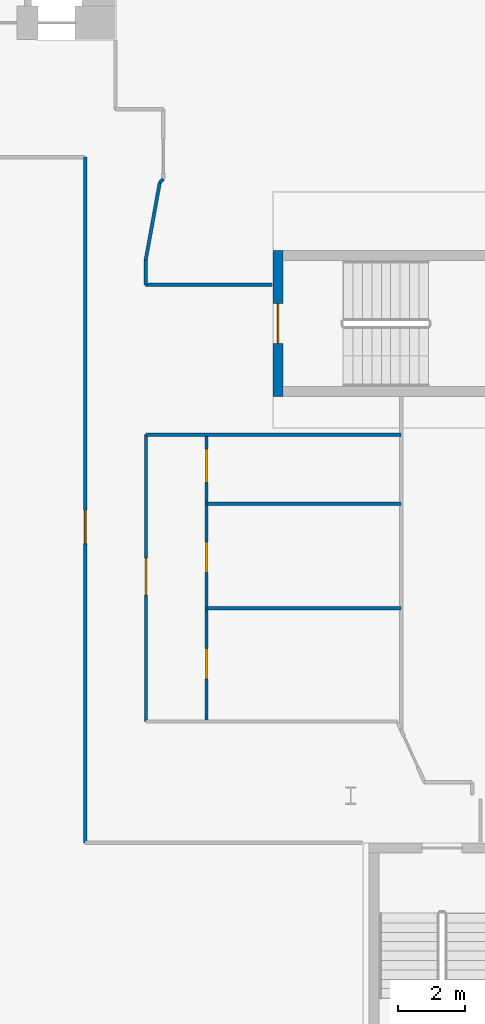
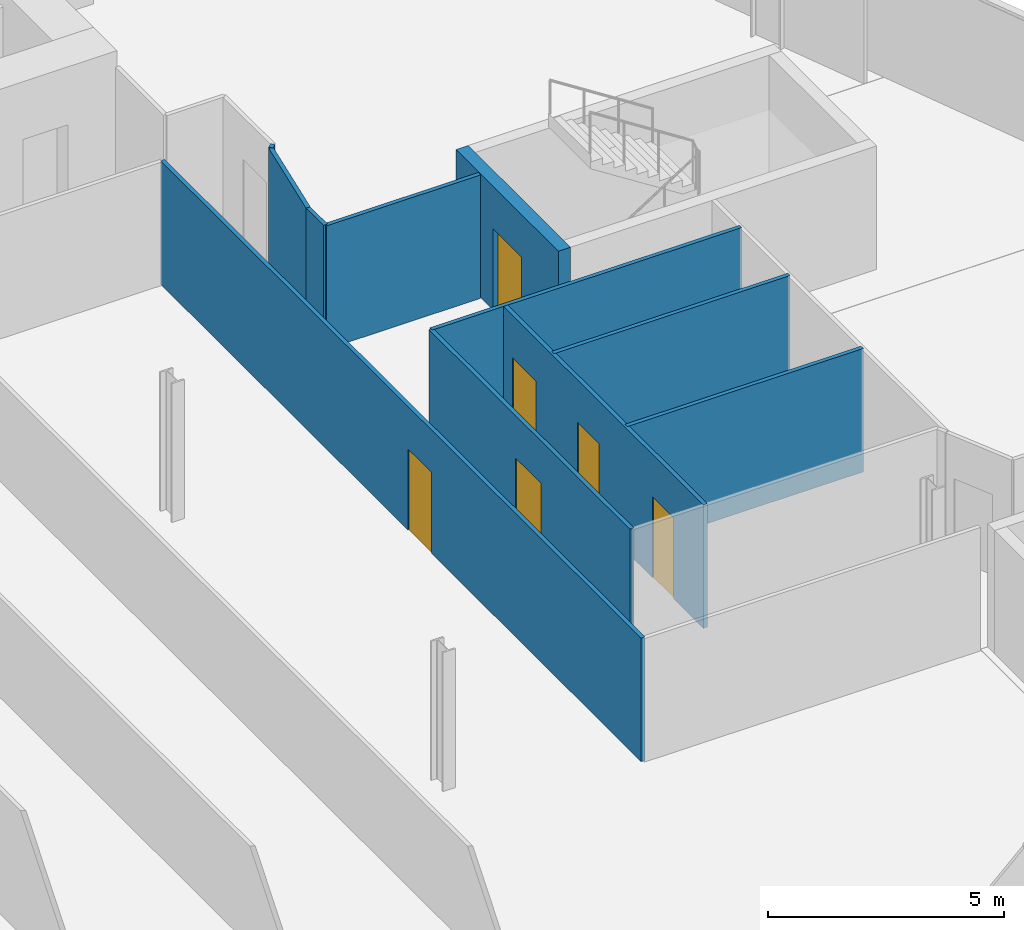
# One storey, part 14 of 25: 11 walls, 6 doors, 6 openings.
"""IFC4 building model written with IfcOpenShell, lengths in metres."""

from ifc_helpers import new_model, si_unit, direction, frame, frame_2d, origin, place, context, subcontext, project, spatial, rectangle, extrude, material, layer, layer_set, type_object, element, fill, save


model = new_model("IFC4")

# Units and contexts
model_context = context("Model", 3, precision=1e-05, world=origin(), true_north=direction((0.0, 1.0)))
body_context = subcontext(model_context, "Body", "Model", "MODEL_VIEW")
ifc_project = project(units=[si_unit("LENGTHUNIT", "METRE"), si_unit("AREAUNIT", "SQUARE_METRE"), si_unit("VOLUMEUNIT", "CUBIC_METRE"), si_unit("PLANEANGLEUNIT", "RADIAN"), si_unit("MASSUNIT", "GRAM", prefix="KILO")], contexts=[model_context])

# Site, building, storey
site_placement = place(None, origin())
site = spatial("IfcSite", under=ifc_project, at=site_placement, CompositionType="ELEMENT")
building_placement = place(site_placement, origin())
building = spatial("IfcBuilding", under=site, at=building_placement, Name="Wharfspan Tower", CompositionType="ELEMENT")
storey_placement = place(building_placement, frame((0.0, 0.0, 129.100098)))
storey = spatial("IfcBuildingStorey", under=building, at=storey_placement, Name="L30", CompositionType="ELEMENT", Elevation=129.100098)

# Wall, opening, door
ifc_material_1 = material(Name="Gypsum board on steel studs", Category="steel")
ifc_layer_1 = layer(ifc_material_1, 0.100098)
ifc_layer_set_1 = layer_set([ifc_layer_1], Name="Gypsum board on steel studs")
wall_type_1 = type_object("IfcWallType", Name="Compartment wall 100 EI 60", PredefinedType="PARTITIONING", material=ifc_layer_set_1)
wall_1_placement = place(storey_placement, frame((64.100098, 10.094971, 0.0), z_axis=(0.0, 0.0, 1.0), x_axis=(0.0, 1.0, 0.0)))
wall_1 = element("IfcWall", 1, at=wall_1_placement, inside=storey, type_object=wall_type_1, Name="Partition L30.w018", PredefinedType="PARTITIONING", context=body_context, shape_type="SweptSolid", body=[
    extrude(rectangle(XDim=20.405029, YDim=0.100098, at=frame_2d((10.202637, 0.0))), origin(), (0.0, 0.0, 1.0), 3.199951),
])
opening_1_placement = place(wall_1_placement, frame((8.905029, 0.0, 0.0)))
opening_1 = element("IfcOpeningElement", 2, at=opening_1_placement, cuts=wall_1, Name="Opening B4-06", PredefinedType="OPENING", context=body_context, shape_type="SweptSolid", body=[
    extrude(rectangle(XDim=1.0, YDim=2.100098, at=frame_2d((0.5, 1.050049))), frame((0.0, 0.060059, 0.0), z_axis=(0.0, -1.0, 0.0), x_axis=(1.0, 0.0, 0.0)), (0.0, 0.0, 1.0), 0.120117),
])
ifc_material_2 = material(Name="Fire-rated timber door leaf in steel frame", Category="steel")
door_type_1 = type_object("IfcDoorType", Name="Door 1000 FD30S Left", OperationType="SINGLE_SWING_LEFT", PredefinedType="DOOR", material=ifc_material_2)
door_1_placement = place(opening_1_placement, origin())
door_1 = element("IfcDoor", 3, at=door_1_placement, inside=storey, type_object=door_type_1, Name="Door B4-06", OperationType="SINGLE_SWING_LEFT", OverallHeight=2.100098, OverallWidth=1.0, PredefinedType="DOOR", context=body_context, shape_type="SweptSolid", body=[
    extrude(rectangle(XDim=1.0, YDim=2.100098, at=frame_2d((0.5, 1.050049))), frame((0.0, 0.024902, 0.0), z_axis=(0.0, -1.0, 0.0), x_axis=(1.0, 0.0, 0.0)), (0.0, 0.0, 1.0), 0.050049),
])
fill(opening_1, door_1)

# Walls
wall_2_placement = place(storey_placement, frame((65.899902, 26.699951, 0.0), z_axis=(0.0, 0.0, 1.0), x_axis=(0.0, 1.0, 0.0)))
element("IfcWall", 4, at=wall_2_placement, inside=storey, type_object=wall_type_1, Name="Partition L30.w022", PredefinedType="PARTITIONING", context=body_context, shape_type="SweptSolid", body=[
    extrude(rectangle(XDim=0.735107, YDim=0.100098, at=frame_2d((0.367676, 0.0))), origin(), (0.0, 0.0, 1.0), 3.199951),
])
wall_3_placement = place(storey_placement, frame((65.899902, 26.699951, 0.0), z_axis=(0.0, 0.0, 1.0), x_axis=(1.0, 0.0, 0.0)))
element("IfcWall", 5, at=wall_3_placement, inside=storey, type_object=wall_type_1, Name="Partition L30.w023", PredefinedType="PARTITIONING", context=body_context, shape_type="SweptSolid", body=[
    extrude(rectangle(XDim=3.770508, YDim=0.100098, at=frame_2d((1.885254, 0.0))), origin(), (0.0, 0.0, 1.0), 3.199951),
])
wall_4_placement = place(storey_placement, frame((65.899902, 27.435059, 0.0), z_axis=(0.0, 0.0, 1.0), x_axis=(0.178584, 0.983924, 0.0)))
element("IfcWall", 6, at=wall_4_placement, inside=storey, type_object=wall_type_1, Name="Partition L30.w024", PredefinedType="PARTITIONING", context=body_context, shape_type="SweptSolid", body=[
    extrude(rectangle(XDim=2.352783, YDim=0.100098, at=frame_2d((1.17627, 0.0))), origin(), (0.0, 0.0, 1.0), 3.199951),
])

# Wall, opening, door
wall_5_placement = place(storey_placement, frame((65.909912, 13.705078, 0.0), z_axis=(0.0, 0.0, 1.0), x_axis=(0.0, 1.0, 0.0)))
wall_5 = element("IfcWall", 7, at=wall_5_placement, inside=storey, type_object=wall_type_1, Name="Partition L30.w025", PredefinedType="PARTITIONING", context=body_context, shape_type="SweptSolid", body=[
    extrude(rectangle(XDim=8.534912, YDim=0.100098, at=frame_2d((4.267578, 0.0))), origin(), (0.0, 0.0, 1.0), 3.199951),
])
opening_2_placement = place(wall_5_placement, frame((3.77002, 0.0, 0.0)))
opening_2 = element("IfcOpeningElement", 8, at=opening_2_placement, cuts=wall_5, Name="Opening B4-03", PredefinedType="OPENING", context=body_context, shape_type="SweptSolid", body=[
    extrude(rectangle(XDim=1.100098, YDim=2.100098, at=frame_2d((0.550049, 1.050049))), frame((0.0, 0.060059, 0.0), z_axis=(0.0, -1.0, 0.0), x_axis=(1.0, 0.0, 0.0)), (0.0, 0.0, 1.0), 0.120117),
])
door_type_2 = type_object("IfcDoorType", Name="Door 1100 FD30S Right", OperationType="SINGLE_SWING_RIGHT", PredefinedType="DOOR", material=ifc_material_2)
door_2_placement = place(opening_2_placement, origin())
door_2 = element("IfcDoor", 9, at=door_2_placement, inside=storey, type_object=door_type_2, Name="Door B4-03", OperationType="SINGLE_SWING_RIGHT", OverallHeight=2.100098, OverallWidth=1.100098, PredefinedType="DOOR", context=body_context, shape_type="SweptSolid", body=[
    extrude(rectangle(XDim=1.100098, YDim=2.100098, at=frame_2d((0.550049, 1.050049))), frame((0.0, 0.024902, 0.0), z_axis=(0.0, -1.0, 0.0), x_axis=(1.0, 0.0, 0.0)), (0.0, 0.0, 1.0), 0.050049),
])
fill(opening_2, door_2)

# Walls
wall_6_placement = place(storey_placement, frame((65.909912, 22.23999, 0.0), z_axis=(0.0, 0.0, 1.0), x_axis=(1.0, 0.0, 0.0)))
element("IfcWall", 10, at=wall_6_placement, inside=storey, type_object=wall_type_1, Name="Partition L30.w027", PredefinedType="PARTITIONING", context=body_context, shape_type="SweptSolid", body=[
    extrude(rectangle(XDim=7.590088, YDim=0.100098, at=frame_2d((3.794922, 0.0))), origin(), (0.0, 0.0, 1.0), 3.199951),
])
wall_7_placement = place(storey_placement, frame((66.320068, 29.75, 0.0), z_axis=(0.0, 0.0, 1.0), x_axis=(0.741581, 0.670872, 0.0)))
element("IfcWall", 11, at=wall_7_placement, inside=storey, type_object=wall_type_1, Name="Partition L30.w028", PredefinedType="PARTITIONING", context=body_context, shape_type="SweptSolid", body=[
    extrude(rectangle(XDim=0.141602, YDim=0.100098, at=frame_2d((0.070801, 0.0))), origin(), (0.0, 0.0, 1.0), 3.199951),
])

# Wall, openings, doors
wall_8_placement = place(storey_placement, frame((67.709961, 13.705078, 0.0), z_axis=(0.0, 0.0, 1.0), x_axis=(0.0, 1.0, 0.0)))
wall_8 = element("IfcWall", 12, at=wall_8_placement, inside=storey, type_object=wall_type_1, Name="Partition L30.w030", PredefinedType="PARTITIONING", context=body_context, shape_type="SweptSolid", body=[
    extrude(rectangle(XDim=8.534912, YDim=0.100098, at=frame_2d((4.267578, 0.0))), origin(), (0.0, 0.0, 1.0), 3.199951),
])
opening_3_placement = place(wall_8_placement, frame((1.27002, 0.0, 0.0)))
opening_3 = element("IfcOpeningElement", 13, at=opening_3_placement, cuts=wall_8, Name="Opening B4-02", PredefinedType="OPENING", context=body_context, shape_type="SweptSolid", body=[
    extrude(rectangle(XDim=0.899902, YDim=2.100098, at=frame_2d((0.449951, 1.050049))), frame((0.0, 0.060059, 0.0), z_axis=(0.0, -1.0, 0.0), x_axis=(1.0, 0.0, 0.0)), (0.0, 0.0, 1.0), 0.120117),
])
opening_4_placement = place(wall_8_placement, frame((4.439941, 0.0, 0.0)))
opening_4 = element("IfcOpeningElement", 14, at=opening_4_placement, cuts=wall_8, Name="Opening B4-04", PredefinedType="OPENING", context=body_context, shape_type="SweptSolid", body=[
    extrude(rectangle(XDim=0.899902, YDim=2.100098, at=frame_2d((0.449951, 1.050049))), frame((0.0, 0.060059, 0.0), z_axis=(0.0, -1.0, 0.0), x_axis=(1.0, 0.0, 0.0)), (0.0, 0.0, 1.0), 0.120117),
])
opening_5_placement = place(wall_8_placement, frame((7.110107, 0.0, 0.0)))
opening_5 = element("IfcOpeningElement", 15, at=opening_5_placement, cuts=wall_8, Name="Opening B4-07", PredefinedType="OPENING", context=body_context, shape_type="SweptSolid", body=[
    extrude(rectangle(XDim=1.0, YDim=2.100098, at=frame_2d((0.5, 1.050049))), frame((0.0, 0.060059, 0.0), z_axis=(0.0, -1.0, 0.0), x_axis=(1.0, 0.0, 0.0)), (0.0, 0.0, 1.0), 0.120117),
])
ifc_material_3 = material(Name="Timber door leaf in steel frame", Category="steel")
door_type_3 = type_object("IfcDoorType", Name="Door 1000 NOT RATED Right", OperationType="SINGLE_SWING_RIGHT", PredefinedType="DOOR", material=ifc_material_3)
door_3_placement = place(opening_5_placement, origin())
door_3 = element("IfcDoor", 16, at=door_3_placement, inside=storey, type_object=door_type_3, Name="Door B4-07", OperationType="SINGLE_SWING_RIGHT", OverallHeight=2.100098, OverallWidth=1.0, PredefinedType="DOOR", context=body_context, shape_type="SweptSolid", body=[
    extrude(rectangle(XDim=1.0, YDim=2.100098, at=frame_2d((0.5, 1.050049))), frame((0.0, 0.024902, 0.0), z_axis=(0.0, -1.0, 0.0), x_axis=(1.0, 0.0, 0.0)), (0.0, 0.0, 1.0), 0.050049),
])
fill(opening_5, door_3)
door_type_4 = type_object("IfcDoorType", Name="Door 900 NOT RATED Left", OperationType="SINGLE_SWING_LEFT", PredefinedType="DOOR", material=ifc_material_3)
door_4_placement = place(opening_3_placement, origin())
door_4 = element("IfcDoor", 17, at=door_4_placement, inside=storey, type_object=door_type_4, Name="Door B4-02", OperationType="SINGLE_SWING_LEFT", OverallHeight=2.100098, OverallWidth=0.899902, PredefinedType="DOOR", context=body_context, shape_type="SweptSolid", body=[
    extrude(rectangle(XDim=0.899902, YDim=2.100098, at=frame_2d((0.449951, 1.050049))), frame((0.0, 0.024902, 0.0), z_axis=(0.0, -1.0, 0.0), x_axis=(1.0, 0.0, 0.0)), (0.0, 0.0, 1.0), 0.050049),
])
fill(opening_3, door_4)
door_type_5 = type_object("IfcDoorType", Name="Door 900 NOT RATED Right", OperationType="SINGLE_SWING_RIGHT", PredefinedType="DOOR", material=ifc_material_3)
door_5_placement = place(opening_4_placement, origin())
door_5 = element("IfcDoor", 18, at=door_5_placement, inside=storey, type_object=door_type_5, Name="Door B4-04", OperationType="SINGLE_SWING_RIGHT", OverallHeight=2.100098, OverallWidth=0.899902, PredefinedType="DOOR", context=body_context, shape_type="SweptSolid", body=[
    extrude(rectangle(XDim=0.899902, YDim=2.100098, at=frame_2d((0.449951, 1.050049))), frame((0.0, 0.024902, 0.0), z_axis=(0.0, -1.0, 0.0), x_axis=(1.0, 0.0, 0.0)), (0.0, 0.0, 1.0), 0.050049),
])
fill(opening_4, door_5)

# Walls
ifc_layer_2 = layer(ifc_material_1, 0.100098)
ifc_layer_set_2 = layer_set([ifc_layer_2], Name="Gypsum board on steel studs")
wall_type_2 = type_object("IfcWallType", Name="Partition 100", PredefinedType="PARTITIONING", material=ifc_layer_set_2)
for number, where, z_axis, x_axis, name in (
    (19, (67.709961, 17.074951, 0.0), (0.0, 0.0, 1.0), (1.0, 0.0, 0.0), "Partition L30.w031"),
    (20, (67.709961, 20.189941, 0.0), (0.0, 0.0, 1.0), (1.0, 0.0, 0.0), "Partition L30.w032"),
):
    element("IfcWall", number, at=place(storey_placement, frame(where, z_axis=z_axis, x_axis=x_axis)), inside=storey, type_object=wall_type_2, Name=name, PredefinedType="PARTITIONING", context=body_context, shape_type="SweptSolid", body=[
        extrude(rectangle(XDim=5.790039, YDim=0.100098, at=frame_2d((2.89502, 0.0))), origin(), (0.0, 0.0, 1.0), 3.199951),
    ])

# Wall, opening, door
ifc_material_4 = material(Name="Concrete C40/50", Category="concrete")
ifc_layer_3 = layer(ifc_material_4, 0.300049)
ifc_layer_set_3 = layer_set([ifc_layer_3], Name="Concrete C40/50")
wall_type_3 = type_object("IfcWallType", Name="Stair core wall 300", PredefinedType="SHEAR", material=ifc_layer_set_3)
wall_9_placement = place(storey_placement, frame((69.840332, 23.375, 0.0), z_axis=(0.0, 0.0, 1.0), x_axis=(0.0, 1.0, 0.0)))
wall_9 = element("IfcWall", 21, at=wall_9_placement, inside=storey, type_object=wall_type_3, Name="ST6 stair enclosure wall L30", PredefinedType="SHEAR", context=body_context, shape_type="SweptSolid", body=[
    extrude(rectangle(XDim=4.350098, YDim=0.300049, at=frame_2d((2.175049, 0.0))), origin(), (0.0, 0.0, 1.0), 3.199951),
])
opening_6_placement = place(wall_9_placement, frame((1.574951, 0.0, 0.0)))
opening_6 = element("IfcOpeningElement", 22, at=opening_6_placement, cuts=wall_9, Name="Opening SD6.L30", PredefinedType="OPENING", context=body_context, shape_type="SweptSolid", body=[
    extrude(rectangle(XDim=1.199951, YDim=2.100098, at=frame_2d((0.600098, 1.050049))), frame((0.0, 0.159912, 0.0), z_axis=(0.0, -1.0, 0.0), x_axis=(1.0, 0.0, 0.0)), (0.0, 0.0, 1.0), 0.320068),
])
ifc_material_5 = material(Name="Steel door leaf", Category="steel")
door_type_6 = type_object("IfcDoorType", Name="Stair door 1200x2100", OperationType="SINGLE_SWING_LEFT", PredefinedType="DOOR", material=ifc_material_5)
door_6_placement = place(opening_6_placement, origin())
door_6 = element("IfcDoor", 23, at=door_6_placement, inside=storey, type_object=door_type_6, Name="sd:L30:ST6z2", OperationType="SINGLE_SWING_RIGHT", OverallHeight=2.100098, OverallWidth=1.199951, PredefinedType="DOOR", context=body_context, shape_type="SweptSolid", body=[
    extrude(rectangle(XDim=1.199951, YDim=2.100098, at=frame_2d((0.600098, 1.050049))), frame((0.0, 0.024902, 0.0), z_axis=(0.0, -1.0, 0.0), x_axis=(1.0, 0.0, 0.0)), (0.0, 0.0, 1.0), 0.050049),
])
fill(opening_6, door_6)

save(model, "model.ifc")
